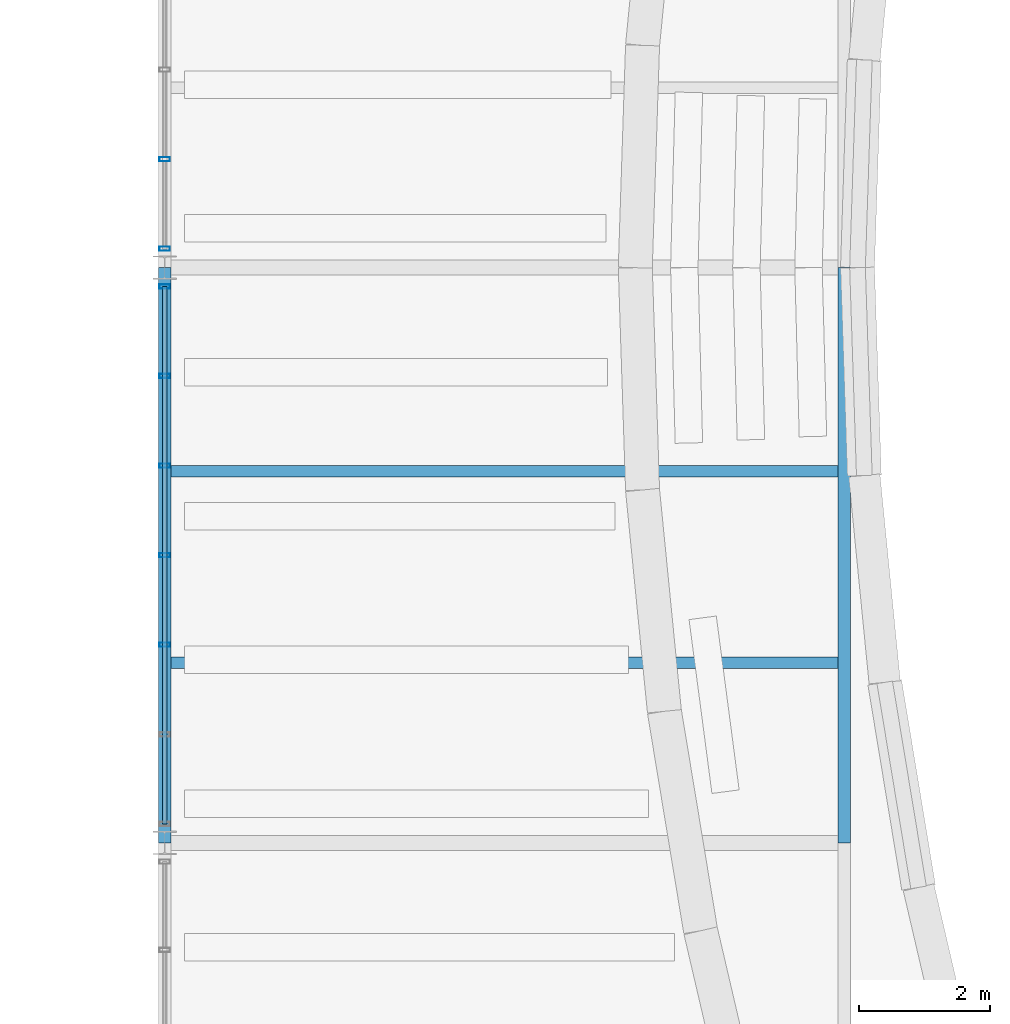
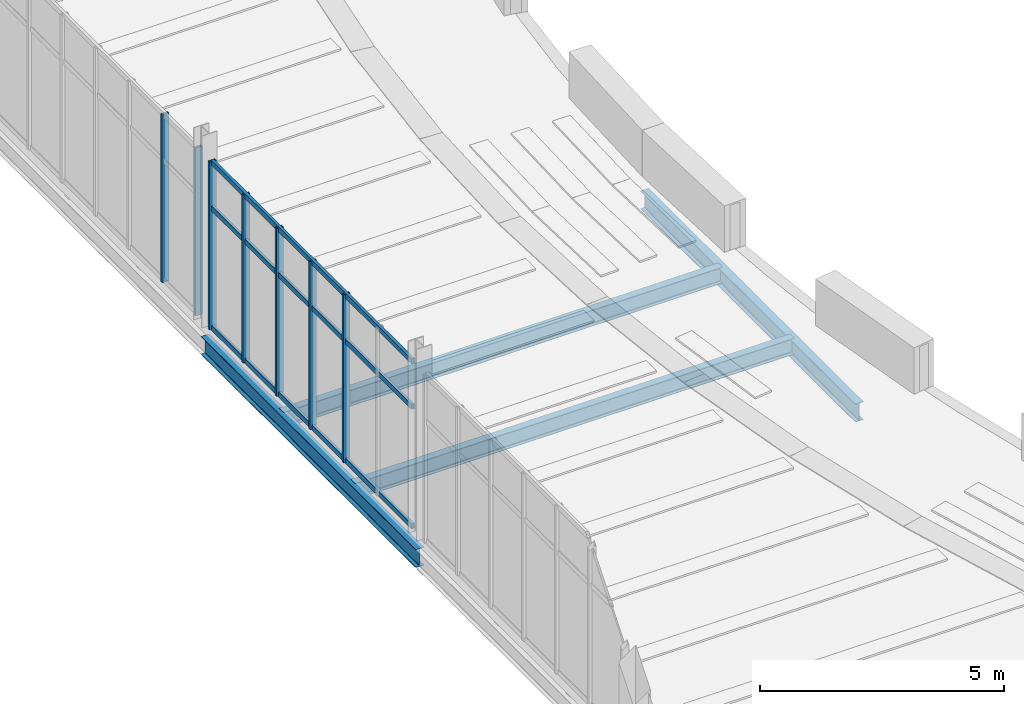
# One storey, part 110 of 157: 10 members, 4 beams, 2 elements without a shape of their own.
"""IFC4 building model written with IfcOpenShell, lengths in metres."""

from ifc_helpers import new_model, si_unit, direction, frame, origin, origin_2d, place, context, subcontext, project, spatial, hollow_rectangle, i_section, extrude, material, layer, layer_set, material_profile, profile_set, type_object, element, aggregate, save


model = new_model("IFC4")

# Units and contexts
model_context = context("Model", 3, precision=1e-05, world=origin(), true_north=direction((0.0, 1.0)))
body_context = subcontext(model_context, "Body", "Model", "MODEL_VIEW")
ifc_project = project(units=[si_unit("LENGTHUNIT", "METRE"), si_unit("AREAUNIT", "SQUARE_METRE"), si_unit("VOLUMEUNIT", "CUBIC_METRE"), si_unit("PLANEANGLEUNIT", "RADIAN"), si_unit("MASSUNIT", "GRAM", prefix="KILO")], contexts=[model_context])

# Site, building, storey
site_placement = place(None, origin())
site = spatial("IfcSite", under=ifc_project, at=site_placement, CompositionType="ELEMENT")
building_placement = place(site_placement, origin())
building = spatial("IfcBuilding", under=site, at=building_placement, Name="Chalmorin Arch Market", CompositionType="ELEMENT")
storey_placement = place(building_placement, frame((0.0, 0.0, 4.800048828125)))
storey = spatial("IfcBuildingStorey", under=building, at=storey_placement, Name="L01", CompositionType="ELEMENT", Elevation=4.800048828125)

# Curtain wall, members
ifc_material_1 = material(Name="Aluminium 6063-T6", Category="aluminium")
ifc_layer = layer(ifc_material_1, 0.159912109375)
ifc_layer_set = layer_set([ifc_layer], Name="Aluminium 6063-T6")
curtain_wall_type = type_object("IfcCurtainWallType", Name="GableTympanumCurtainWall-CW4-8220x4200", PredefinedType="NOTDEFINED", material=ifc_layer_set)
curtain_wall_1_placement = place(storey_placement, origin())
curtain_wall_1 = element("IfcCurtainWall", 1, at=curtain_wall_1_placement, inside=storey, type_object=curtain_wall_type, Name="CW-04-040", PredefinedType="NOTDEFINED")
ifc_material_profile_1 = material_profile(ifc_material_1, hollow_rectangle(XDim=0.06494140625, YDim=0.159912109375, WallThickness=0.00390625, at=origin_2d()), Name="ALU65X160X4")
ifc_profile_set_1 = profile_set([ifc_material_profile_1], Name="Aluminium 6063-T6")
member_type_1 = type_object("IfcMemberType", Name="CurtainWallMullion-65x160", PredefinedType="MULLION", material=ifc_profile_set_1)
member_1_placement = place(storey_placement, frame((124.800048828125, 26.62939453125, 0.0), z_axis=(0.0, 0.0, 1.0), x_axis=(0.0, 1.0, 0.0)))
member_1 = element("IfcMember", 2, at=member_1_placement, type_object=member_type_1, Name="ML-040-03", PredefinedType="MULLION", context=body_context, shape_type="SweptSolid", body=[
    extrude(hollow_rectangle(XDim=0.06494140625, YDim=0.159912109375, WallThickness=0.00390625, at=origin_2d()), origin(), (0.0, 0.0, 1.0), 4.199951171875),
])
member_2_placement = place(storey_placement, frame((124.800048828125, 28.0, 0.0), z_axis=(0.0, 0.0, 1.0), x_axis=(0.0, 1.0, 0.0)))
member_2 = element("IfcMember", 3, at=member_2_placement, type_object=member_type_1, Name="ML-040-04", PredefinedType="MULLION", context=body_context, shape_type="SweptSolid", body=[
    extrude(hollow_rectangle(XDim=0.06494140625, YDim=0.159912109375, WallThickness=0.00390625, at=origin_2d()), origin(), (0.0, 0.0, 1.0), 4.199951171875),
])
member_3_placement = place(storey_placement, frame((124.800048828125, 29.37060546875, 0.0), z_axis=(0.0, 0.0, 1.0), x_axis=(0.0, 1.0, 0.0)))
member_3 = element("IfcMember", 4, at=member_3_placement, type_object=member_type_1, Name="ML-040-05", PredefinedType="MULLION", context=body_context, shape_type="SweptSolid", body=[
    extrude(hollow_rectangle(XDim=0.06494140625, YDim=0.159912109375, WallThickness=0.00390625, at=origin_2d()), origin(), (0.0, 0.0, 1.0), 4.199951171875),
])
member_4_placement = place(storey_placement, frame((124.800048828125, 30.7412109375, 0.0), z_axis=(0.0, 0.0, 1.0), x_axis=(0.0, 1.0, 0.0)))
member_4 = element("IfcMember", 5, at=member_4_placement, type_object=member_type_1, Name="ML-040-06", PredefinedType="MULLION", context=body_context, shape_type="SweptSolid", body=[
    extrude(hollow_rectangle(XDim=0.06494140625, YDim=0.159912109375, WallThickness=0.00390625, at=origin_2d()), origin(), (0.0, 0.0, 1.0), 4.199951171875),
])
member_5_placement = place(storey_placement, frame((124.800048828125, 32.112060546875, 0.0), z_axis=(0.0, 0.0, 1.0), x_axis=(0.0, 1.0, 0.0)))
member_5 = element("IfcMember", 6, at=member_5_placement, type_object=member_type_1, Name="ML-040-07", PredefinedType="MULLION", context=body_context, shape_type="SweptSolid", body=[
    extrude(hollow_rectangle(XDim=0.06494140625, YDim=0.159912109375, WallThickness=0.00390625, at=origin_2d()), origin(), (0.0, 0.0, 1.0), 4.199951171875),
])

curtain_wall_2_placement = place(storey_placement, origin())
curtain_wall_2 = element("IfcCurtainWall", 7, at=curtain_wall_2_placement, inside=storey, type_object=curtain_wall_type, Name="CW-04-041", PredefinedType="NOTDEFINED")
member_6_placement = place(storey_placement, frame((124.800048828125, 32.68798828125, 0.0), z_axis=(0.0, 0.0, 1.0), x_axis=(0.0, 1.0, 0.0)))
member_6 = element("IfcMember", 8, at=member_6_placement, type_object=member_type_1, Name="ML-041-01", PredefinedType="MULLION", context=body_context, shape_type="SweptSolid", body=[
    extrude(hollow_rectangle(XDim=0.06494140625, YDim=0.159912109375, WallThickness=0.00390625, at=origin_2d()), origin(), (0.0, 0.0, 1.0), 4.199951171875),
])
member_7_placement = place(storey_placement, frame((124.800048828125, 34.05859375, 0.0), z_axis=(0.0, 0.0, 1.0), x_axis=(0.0, 1.0, 0.0)))
member_7 = element("IfcMember", 9, at=member_7_placement, type_object=member_type_1, Name="ML-041-02", PredefinedType="MULLION", context=body_context, shape_type="SweptSolid", body=[
    extrude(hollow_rectangle(XDim=0.06494140625, YDim=0.159912109375, WallThickness=0.00390625, at=origin_2d()), origin(), (0.0, 0.0, 1.0), 4.199951171875),
])
aggregate(curtain_wall_2, [member_6, member_7])

# Member
ifc_material_profile_2 = material_profile(ifc_material_1, hollow_rectangle(XDim=0.06494140625, YDim=0.1298828125, WallThickness=0.00390625, at=origin_2d()), Name="ALU65X130X4")
ifc_profile_set_2 = profile_set([ifc_material_profile_2], Name="Aluminium 6063-T6")
member_type_2 = type_object("IfcMemberType", Name="CurtainWallTransom-65x130", PredefinedType="USERDEFINED", material=ifc_profile_set_2)
member_8_placement = place(storey_placement, frame((124.800048828125, 23.887939453125, 0.034912109375), z_axis=(0.0, 1.0, 0.0), x_axis=(-1.0, 0.0, 0.0)))
member_8 = element("IfcMember", 10, at=member_8_placement, type_object=member_type_2, Name="TR-040-01", ObjectType="TRANSOM", PredefinedType="USERDEFINED", context=body_context, shape_type="SweptSolid", body=[
    extrude(hollow_rectangle(XDim=0.06494140625, YDim=0.1298828125, WallThickness=0.00390625, at=origin_2d()), origin(), (0.0, 0.0, 1.0), 8.22412109375),
])

member_9_placement = place(storey_placement, frame((124.800048828125, 23.887939453125, 3.02392578125), z_axis=(0.0, 1.0, 0.0), x_axis=(-1.0, 0.0, 0.0)))
member_9 = element("IfcMember", 11, at=member_9_placement, type_object=member_type_2, Name="TR-040-02", ObjectType="TRANSOM", PredefinedType="USERDEFINED", context=body_context, shape_type="SweptSolid", body=[
    extrude(hollow_rectangle(XDim=0.06494140625, YDim=0.1298828125, WallThickness=0.00390625, at=origin_2d()), origin(), (0.0, 0.0, 1.0), 8.22412109375),
])

member_10_placement = place(storey_placement, frame((124.800048828125, 23.887939453125, 4.1650390625), z_axis=(0.0, 1.0, 0.0), x_axis=(-1.0, 0.0, 0.0)))
member_10 = element("IfcMember", 12, at=member_10_placement, type_object=member_type_2, Name="TR-040-03", ObjectType="TRANSOM", PredefinedType="USERDEFINED", context=body_context, shape_type="SweptSolid", body=[
    extrude(hollow_rectangle(XDim=0.06494140625, YDim=0.1298828125, WallThickness=0.00390625, at=origin_2d()), origin(), (0.0, 0.0, 1.0), 8.22412109375),
])

aggregate(curtain_wall_1, [member_1, member_2, member_3, member_4, member_5, member_8, member_9, member_10])

# Beams
ifc_material_2 = material(Name="Steel A992 Grade 50", Category="steel")
ifc_material_profile_3 = material_profile(ifc_material_2, i_section(OverallWidth=0.19091796875, OverallDepth=0.45703125, WebThickness=0.009033203125, FlangeThickness=0.014404296875, FilletRadius=0.02001953125, at=origin_2d()), Name="W18X50")
ifc_profile_set_3 = profile_set([ifc_material_profile_3], Name="Steel A992 Grade 50")
beam_type_1 = type_object("IfcBeamType", Name="PerimeterSpandrelBeam-W18X50", PredefinedType="SPANDREL", material=ifc_profile_set_3)
for number, where, z_axis, x_axis, name in (
    (13, (124.800048828125, 23.60009765625, -0.570556640625), (0.0, 1.0, 0.0), (-1.0, 0.0, 0.0), "SP-W18-0687"),
    (14, (135.199951171875, 23.60009765625, -0.570556640625), (0.0, 1.0, 0.0), (-1.0, 0.0, 0.0), "SP-W18-0688"),
):
    element("IfcBeam", number, at=place(storey_placement, frame(where, z_axis=z_axis, x_axis=x_axis)), inside=storey, type_object=beam_type_1, Name=name, PredefinedType="SPANDREL", context=body_context, shape_type="SweptSolid", body=[
        extrude(i_section(OverallWidth=0.19091796875, OverallDepth=0.45703125, WebThickness=0.009033203125, FlangeThickness=0.014404296875, FilletRadius=0.02001953125, at=origin_2d()), origin(), (0.0, 0.0, 1.0), 8.7998046875),
    ])
ifc_material_profile_4 = material_profile(ifc_material_2, i_section(OverallWidth=0.177978515625, OverallDepth=0.403076171875, WebThickness=0.007568359375, FlangeThickness=0.010986328125, FilletRadius=0.01806640625, at=origin_2d()), Name="W16X36")
ifc_profile_set_4 = profile_set([ifc_material_profile_4], Name="Steel A992 Grade 50")
beam_type_2 = type_object("IfcBeamType", Name="SecondaryFloorJoist-W16X36", PredefinedType="JOIST", material=ifc_profile_set_4)
for number, where, z_axis, x_axis, name in (
    (15, (124.800048828125, 26.353271484375, -0.54345703125), (1.0, 0.0, 0.0), (0.0, 1.0, 0.0), "BJ-W16B-0701"),
    (16, (124.800048828125, 29.28662109375, -0.54345703125), (1.0, 0.0, 0.0), (0.0, 1.0, 0.0), "BJ-W16B-0702"),
):
    element("IfcBeam", number, at=place(storey_placement, frame(where, z_axis=z_axis, x_axis=x_axis)), inside=storey, type_object=beam_type_2, Name=name, PredefinedType="JOIST", context=body_context, shape_type="SweptSolid", body=[
        extrude(i_section(OverallWidth=0.177978515625, OverallDepth=0.403076171875, WebThickness=0.007568359375, FlangeThickness=0.010986328125, FilletRadius=0.01806640625, at=origin_2d()), origin(), (0.0, 0.0, 1.0), 10.39990234375),
    ])

save(model, "model.ifc")
